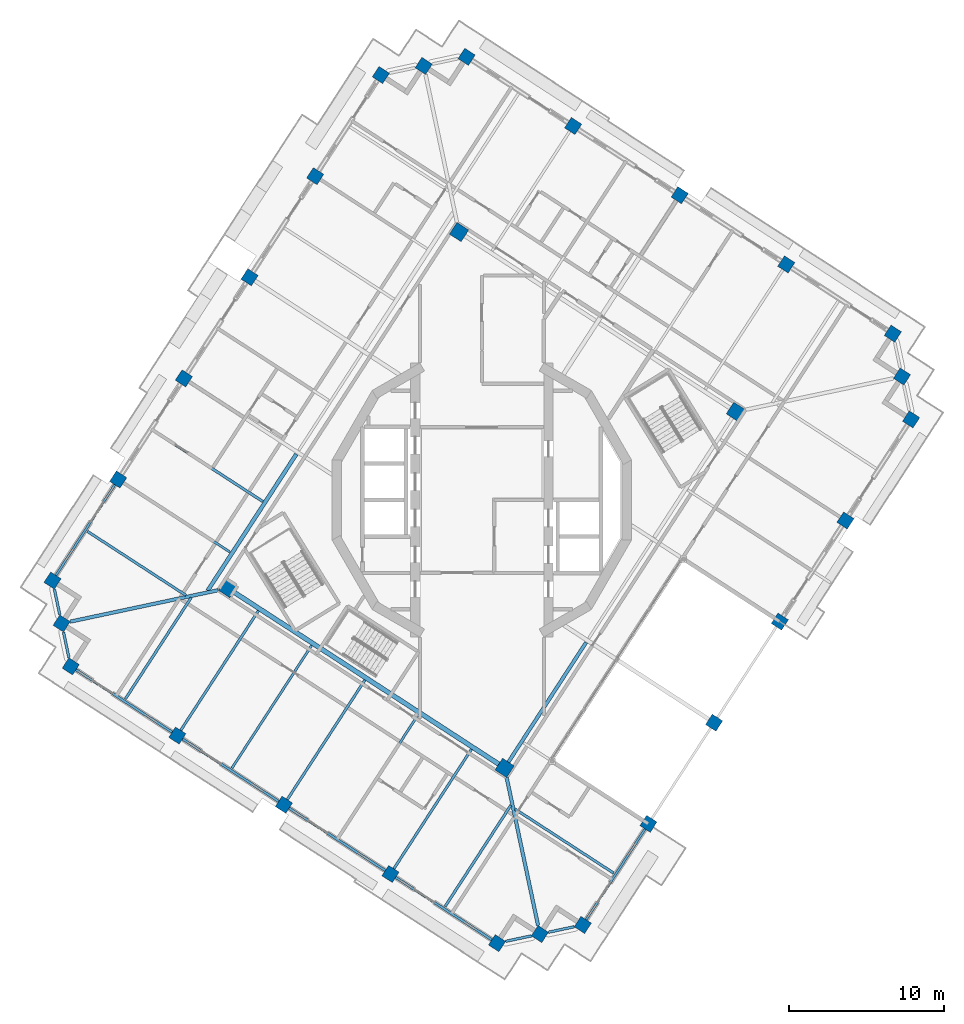
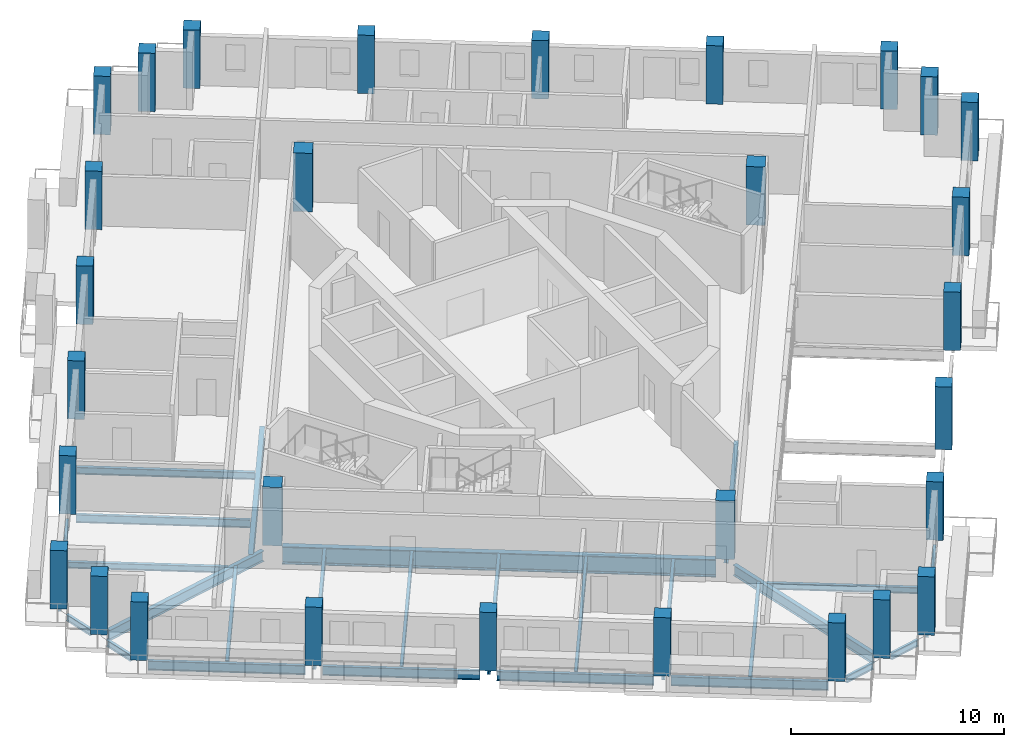
# One storey, part 1 of 17: 30 columns, 26 beams.
"""IFC4 building model written with IfcOpenShell, lengths in metres."""

from ifc_helpers import new_model, si_unit, direction, frame, origin, origin_2d, place, context, subcontext, project, spatial, rectangle, i_section, extrude, material, material_profile, profile_set, type_object, element, save


model = new_model("IFC4")

# Units and contexts
model_context = context("Model", 3, precision=1e-05, world=origin(), true_north=direction((0.0, 1.0)))
body_context = subcontext(model_context, "Body", "Model", "MODEL_VIEW")
ifc_project = project(units=[si_unit("LENGTHUNIT", "METRE"), si_unit("AREAUNIT", "SQUARE_METRE"), si_unit("VOLUMEUNIT", "CUBIC_METRE"), si_unit("PLANEANGLEUNIT", "RADIAN"), si_unit("MASSUNIT", "GRAM", prefix="KILO")], contexts=[model_context])

# Site, building, storey
site_placement = place(None, origin())
site = spatial("IfcSite", under=ifc_project, at=site_placement, CompositionType="ELEMENT")
building_placement = place(site_placement, origin())
building = spatial("IfcBuilding", under=site, at=building_placement, Name="Cantera Rosa Tower", CompositionType="ELEMENT")
storey_placement = place(building_placement, frame((0.0, 0.0, 257.699951171875)))
storey = spatial("IfcBuildingStorey", under=building, at=storey_placement, Name="L57", CompositionType="ELEMENT", Elevation=257.699951171875)

# Columns
ifc_material_1 = material(Name="Concrete C50/60", Category="concrete")
ifc_material_profile_1 = material_profile(ifc_material_1, rectangle(XDim=0.800048828125, YDim=0.800048828125, at=origin_2d()), Name="RC COLUMN RC800X800 C50/60")
ifc_profile_set_1 = profile_set([ifc_material_profile_1], Name="Concrete C50/60")
column_type_1 = type_object("IfcColumnType", Name="RC COLUMN RC800X800 C50/60", PredefinedType="COLUMN", material=ifc_profile_set_1)
for number, where, z_axis, x_axis, name in (
    (1, (26.52587890625, 10.73486328125, 0.0), (0.0, 0.0, 1.0), (0.544639035015, 0.838670567945, 0.0), "C-Z5-01 L57"),
    (2, (19.64892578125, 15.20068359375, 0.0), (0.0, 0.0, 1.0), (0.544639035015, 0.838670567945, 0.0), "C-Z5-02 L57"),
    (3, (12.771728515625, 19.666748046875, 0.0), (0.0, 0.0, 1.0), (0.544639035015, 0.838670567945, 0.0), "C-Z5-03 L57"),
    (4, (5.894775390625, 24.1328125, 0.0), (0.0, 0.0, 1.0), (0.544639035015, 0.838670567945, 0.0), "C-Z5-04 L57"),
    (5, (-0.982421875, 28.598876953125, 0.0), (0.0, 0.0, 1.0), (0.544639035015, 0.838670567945, 0.0), "C-Z5-05 L57"),
    (6, (-3.7490234375, 28.0107421875, 0.0), (0.0, 0.0, 1.0), (0.544639035015, 0.838670567945, 0.0), "C-Z5-06 L57"),
    (7, (-6.515625, 27.4228515625, 0.0), (0.0, 0.0, 1.0), (0.544639035015, 0.838670567945, 0.0), "C-Z5-07 L57"),
    (8, (-10.7529296875, 20.89794921875, 0.0), (0.0, 0.0, 1.0), (0.544639035015, 0.838670567945, 0.0), "C-Z5-08 L57"),
    (9, (-14.990234375, 14.373046875, 0.0), (0.0, 0.0, 1.0), (0.544639035015, 0.838670567945, 0.0), "C-Z5-09 L57"),
    (10, (-19.2275390625, 7.84814453125, 0.0), (0.0, 0.0, 1.0), (0.544639035015, 0.838670567945, 0.0), "C-Z5-10 L57"),
    (11, (-23.46484375, 1.3232421875, 0.0), (0.0, 0.0, 1.0), (0.544639035015, 0.838670567945, 0.0), "C-Z5-11 L57"),
    (12, (-27.7021484375, -5.201416015625, 0.0), (0.0, 0.0, 1.0), (0.544639035015, 0.838670567945, 0.0), "C-Z5-12 L57"),
    (13, (-27.114013671875, -7.968017578125, 0.0), (0.0, 0.0, 1.0), (0.544639035015, 0.838670567945, 0.0), "C-Z5-13 L57"),
    (14, (-26.52587890625, -10.73486328125, 0.0), (0.0, 0.0, 1.0), (0.544639035015, 0.838670567945, 0.0), "C-Z5-14 L57"),
    (15, (-19.64892578125, -15.20068359375, 0.0), (0.0, 0.0, 1.0), (0.544639035015, 0.838670567945, 0.0), "C-Z5-15 L57"),
    (16, (-12.771728515625, -19.666748046875, 0.0), (0.0, 0.0, 1.0), (0.544639035015, 0.838670567945, 0.0), "C-Z5-16 L57"),
    (17, (-5.894775390625, -24.1328125, 0.0), (0.0, 0.0, 1.0), (0.544639035015, 0.838670567945, 0.0), "C-Z5-17 L57"),
    (18, (0.982421875, -28.598876953125, 0.0), (0.0, 0.0, 1.0), (0.544639035015, 0.838670567945, 0.0), "C-Z5-18 L57"),
    (19, (3.7490234375, -28.0107421875, 0.0), (0.0, 0.0, 1.0), (0.544639035015, 0.838670567945, 0.0), "C-Z5-19 L57"),
    (20, (6.515625, -27.4228515625, 0.0), (0.0, 0.0, 1.0), (0.544639035015, 0.838670567945, 0.0), "C-Z5-20 L57"),
    (21, (10.7529296875, -20.89794921875, 0.0), (0.0, 0.0, 1.0), (0.544639035015, 0.838670567945, 0.0), "C-Z5-21 L57"),
):
    element("IfcColumn", number, at=place(storey_placement, frame(where, z_axis=z_axis, x_axis=x_axis)), inside=storey, type_object=column_type_1, Name=name, PredefinedType="COLUMN", context=body_context, shape_type="SweptSolid", body=[
        extrude(rectangle(XDim=0.800048828125, YDim=0.800048828125, at=origin_2d()), origin(), (0.0, 0.0, 1.0), 3.35009765625),
    ])
column_placement = place(storey_placement, frame((14.990234375, -14.373046875, -0.25), z_axis=(0.0, 0.0, 1.0), x_axis=(0.544639035015, 0.838670567945, 0.0)))
element("IfcColumn", 22, at=column_placement, inside=storey, type_object=column_type_1, Name="C-Z5-22 L57", PredefinedType="COLUMN", context=body_context, shape_type="SweptSolid", body=[
    extrude(rectangle(XDim=0.800048828125, YDim=0.800048828125, at=origin_2d()), origin(), (0.0, 0.0, 1.0), 3.60009765625),
])
for number, where, z_axis, x_axis, name in (
    (23, (19.2275390625, -7.84814453125, 0.0), (0.0, 0.0, 1.0), (0.544639035015, 0.838670567945, 0.0), "C-Z5-23 L57"),
    (24, (23.46484375, -1.3232421875, 0.0), (0.0, 0.0, 1.0), (0.544639035015, 0.838670567945, 0.0), "C-Z5-24 L57"),
    (25, (27.7021484375, 5.201416015625, 0.0), (0.0, 0.0, 1.0), (0.544639035015, 0.838670567945, 0.0), "C-Z5-25 L57"),
    (26, (27.114013671875, 7.968017578125, 0.0), (0.0, 0.0, 1.0), (0.544639035015, 0.838670567945, 0.0), "C-Z5-26 L57"),
):
    element("IfcColumn", number, at=place(storey_placement, frame(where, z_axis=z_axis, x_axis=x_axis)), inside=storey, type_object=column_type_1, Name=name, PredefinedType="COLUMN", context=body_context, shape_type="SweptSolid", body=[
        extrude(rectangle(XDim=0.800048828125, YDim=0.800048828125, at=origin_2d()), origin(), (0.0, 0.0, 1.0), 3.35009765625),
    ])
ifc_material_2 = material(Name="Concrete C50/60", Category="concrete")
ifc_material_profile_2 = material_profile(ifc_material_2, rectangle(XDim=0.89990234375, YDim=0.89990234375, at=origin_2d()), Name="RC RING COLUMN RC900X900 C50/60")
ifc_profile_set_2 = profile_set([ifc_material_profile_2], Name="Concrete C50/60")
column_type_2 = type_object("IfcColumnType", Name="RC RING COLUMN RC900X900 C50/60", PredefinedType="COLUMN", material=ifc_profile_set_2)
for number, where, z_axis, x_axis, name in (
    (27, (-1.47021484375, 17.290283203125, 0.0), (0.0, 0.0, 1.0), (0.544639035015, 0.838670567945, 0.0), "CI-Z5-1 L57"),
    (28, (-16.393310546875, -5.689453125, 0.0), (0.0, 0.0, 1.0), (0.544639035015, 0.838670567945, 0.0), "CI-Z5-2 L57"),
    (29, (1.47021484375, -17.290283203125, 0.0), (0.0, 0.0, 1.0), (0.544639035015, 0.838670567945, 0.0), "CI-Z5-3 L57"),
    (30, (16.393310546875, 5.689453125, 0.0), (0.0, 0.0, 1.0), (0.544639035015, 0.838670567945, 0.0), "CI-Z5-4 L57"),
):
    element("IfcColumn", number, at=place(storey_placement, frame(where, z_axis=z_axis, x_axis=x_axis)), inside=storey, type_object=column_type_2, Name=name, PredefinedType="COLUMN", context=body_context, shape_type="SweptSolid", body=[
        extrude(rectangle(XDim=0.89990234375, YDim=0.89990234375, at=origin_2d()), origin(), (0.0, 0.0, 1.0), 3.35009765625),
    ])

# Beams
ifc_material_3 = material(Name="Steel ASTM A992 (Fy 345 MPa)", Category="steel")
ifc_material_profile_3 = material_profile(ifc_material_3, i_section(OverallWidth=0.302001953125, OverallDepth=1.010009765625, WebThickness=0.02099609375, FlangeThickness=0.0400390625, FilletRadius=0.030029296875, at=origin_2d()), Name="W1000X350")
ifc_profile_set_3 = profile_set([ifc_material_profile_3], Name="Steel ASTM A992 (Fy 345 MPa)")
beam_type_1 = type_object("IfcBeamType", Name="STEEL BEAM W1000X350", PredefinedType="BEAM", material=ifc_profile_set_3)
beam_1_placement = place(storey_placement, frame((1.0927734375, -17.045166015625, -0.7548828125), z_axis=(-0.838671580977, 0.54463747508, 0.0), x_axis=(-0.54463747508, -0.838671580977, 0.0)))
element("IfcBeam", 31, at=beam_1_placement, inside=storey, type_object=beam_type_1, Name="RB-Z5-09 L57", PredefinedType="BEAM", context=body_context, shape_type="SweptSolid", body=[
    extrude(i_section(OverallWidth=0.302001953125, OverallDepth=1.010009765625, WebThickness=0.02099609375, FlangeThickness=0.0400390625, FilletRadius=0.030029296875, at=origin_2d()), origin(), (0.0, 0.0, 1.0), 20.39990234375),
])
ifc_material_4 = material(Name="Steel ASTM A992 (Fy 345 MPa)", Category="steel")
ifc_material_profile_4 = material_profile(ifc_material_4, i_section(OverallWidth=0.154052734375, OverallDepth=0.4599609375, WebThickness=0.009033203125, FlangeThickness=0.015380859375, FilletRadius=0.01025390625, at=origin_2d()), Name="W460X68")
ifc_profile_set_4 = profile_set([ifc_material_profile_4], Name="Steel ASTM A992 (Fy 345 MPa)")
beam_type_2 = type_object("IfcBeamType", Name="STEEL BEAM W460X68", PredefinedType="BEAM", material=ifc_profile_set_4)
beam_2_placement = place(storey_placement, frame((-23.12939453125, 1.10546875, -0.47998046875), z_axis=(0.838672777751, -0.544635632198, 0.0), x_axis=(0.544635632198, 0.838672777751, 0.0)))
element("IfcBeam", 32, at=beam_2_placement, inside=storey, type_object=beam_type_2, Name="G-Z5-07 L57", PredefinedType="BEAM", context=body_context, shape_type="SweptSolid", body=[
    extrude(i_section(OverallWidth=0.154052734375, OverallDepth=0.4599609375, WebThickness=0.009033203125, FlangeThickness=0.015380859375, FilletRadius=0.01025390625, at=origin_2d()), origin(), (0.0, 0.0, 1.0), 8.2001953125),
])
ifc_material_5 = material(Name="Steel ASTM A992 (Fy 345 MPa)", Category="steel")
ifc_material_profile_5 = material_profile(ifc_material_5, i_section(OverallWidth=0.166015625, OverallDepth=0.528076171875, WebThickness=0.009765625, FlangeThickness=0.013671875, FilletRadius=0.0126953125, at=origin_2d()), Name="W530X74")
ifc_profile_set_5 = profile_set([ifc_material_profile_5], Name="Steel ASTM A992 (Fy 345 MPa)")
beam_type_3 = type_object("IfcBeamType", Name="STEEL BEAM W530X74", PredefinedType="BEAM", material=ifc_profile_set_5)
beam_3_placement = place(storey_placement, frame((-19.430908203125, -14.865234375, -0.513916015625), z_axis=(0.544634776066, 0.838673333724, 0.0), x_axis=(-0.838673333724, 0.544634776066, 0.0)))
element("IfcBeam", 33, at=beam_3_placement, inside=storey, type_object=beam_type_3, Name="G-Z5-12 L57", PredefinedType="BEAM", context=body_context, shape_type="SweptSolid", body=[
    extrude(i_section(OverallWidth=0.166015625, OverallDepth=0.528076171875, WebThickness=0.009765625, FlangeThickness=0.013671875, FilletRadius=0.0126953125, at=origin_2d()), origin(), (0.0, 0.0, 1.0), 9.19970703125),
])
beam_4_placement = place(storey_placement, frame((-12.553955078125, -19.331298828125, -0.513916015625), z_axis=(0.544641320086, 0.838669083999, 0.0), x_axis=(-0.838669083999, 0.544641320086, 0.0)))
element("IfcBeam", 34, at=beam_4_placement, inside=storey, type_object=beam_type_3, Name="G-Z5-13 L57", PredefinedType="BEAM", context=body_context, shape_type="SweptSolid", body=[
    extrude(i_section(OverallWidth=0.166015625, OverallDepth=0.528076171875, WebThickness=0.009765625, FlangeThickness=0.013671875, FilletRadius=0.0126953125, at=origin_2d()), origin(), (0.0, 0.0, 1.0), 9.2001953125),
])
beam_5_placement = place(storey_placement, frame((-5.6767578125, -23.79736328125, -0.513916015625), z_axis=(0.544622654601, 0.838681205283, 0.0), x_axis=(-0.838681205283, 0.544622654601, 0.0)))
element("IfcBeam", 35, at=beam_5_placement, inside=storey, type_object=beam_type_3, Name="G-Z5-14 L57", PredefinedType="BEAM", context=body_context, shape_type="SweptSolid", body=[
    extrude(i_section(OverallWidth=0.166015625, OverallDepth=0.528076171875, WebThickness=0.009765625, FlangeThickness=0.013671875, FilletRadius=0.0126953125, at=origin_2d()), origin(), (0.0, 0.0, 1.0), 9.199951171875),
])
ifc_material_6 = material(Name="Steel ASTM A992 (Fy 345 MPa)", Category="steel")
ifc_material_profile_6 = material_profile(ifc_material_6, i_section(OverallWidth=0.22802734375, OverallDepth=0.60205078125, WebThickness=0.010498046875, FlangeThickness=0.014892578125, FilletRadius=0.0126953125, at=origin_2d()), Name="W610X101")
ifc_profile_set_6 = profile_set([ifc_material_profile_6], Name="Steel ASTM A992 (Fy 345 MPa)")
beam_type_4 = type_object("IfcBeamType", Name="STEEL BEAM W610X101", PredefinedType="BEAM", material=ifc_profile_set_6)
for number, where, z_axis, x_axis, name in (
    (36, (-26.560791015625, -7.8505859375, -0.551025390625), (0.978148167214, 0.20790902572, 0.0), (-0.20790902572, 0.978148167214, 0.0), "CB-Z5-02 L57"),
    (37, (3.63134765625, -27.45751953125, -0.551025390625), (-0.20790902572, 0.978148167214, 0.0), (-0.978148167214, -0.20790902572, 0.0), "CB-Z5-03 L57"),
):
    element("IfcBeam", number, at=place(storey_placement, frame(where, z_axis=z_axis, x_axis=x_axis)), inside=storey, type_object=beam_type_4, Name=name, PredefinedType="BEAM", context=body_context, shape_type="SweptSolid", body=[
        extrude(i_section(OverallWidth=0.22802734375, OverallDepth=0.60205078125, WebThickness=0.010498046875, FlangeThickness=0.014892578125, FilletRadius=0.0126953125, at=origin_2d()), origin(), (0.0, 0.0, 1.0), 9.758056640625),
    ])
beam_6_placement = place(storey_placement, frame((1.71533203125, -16.912841796875, -0.551025390625), z_axis=(0.54463982867, 0.838670052539, 0.0), x_axis=(-0.838670052539, 0.54463982867, 0.0)))
element("IfcBeam", 38, at=beam_6_placement, inside=storey, type_object=beam_type_4, Name="RB-Z5-04 L57", PredefinedType="BEAM", context=body_context, shape_type="SweptSolid", body=[
    extrude(i_section(OverallWidth=0.22802734375, OverallDepth=0.60205078125, WebThickness=0.010498046875, FlangeThickness=0.014892578125, FilletRadius=0.0126953125, at=origin_2d()), origin(), (0.0, 0.0, 1.0), 9.2099609375),
])
ifc_material_7 = material(Name="Steel ASTM A992 (Fy 345 MPa)", Category="steel")
ifc_material_profile_7 = material_profile(ifc_material_7, i_section(OverallWidth=0.25390625, OverallDepth=0.677978515625, WebThickness=0.01171875, FlangeThickness=0.016357421875, FilletRadius=0.01513671875, at=origin_2d()), Name="W690X125")
ifc_profile_set_7 = profile_set([ifc_material_profile_7], Name="Steel ASTM A992 (Fy 345 MPa)")
beam_type_5 = type_object("IfcBeamType", Name="STEEL BEAM W690X125", PredefinedType="BEAM", material=ifc_profile_set_7)
beam_7_placement = place(storey_placement, frame((-17.695068359375, -5.857666015625, -0.5888671875), z_axis=(0.544635575355, 0.838672814665, 0.0), x_axis=(-0.838672814665, 0.544635575355, 0.0)))
element("IfcBeam", 39, at=beam_7_placement, inside=storey, type_object=beam_type_5, Name="RB-Z5-01 L57", PredefinedType="BEAM", context=body_context, shape_type="SweptSolid", body=[
    extrude(i_section(OverallWidth=0.25390625, OverallDepth=0.677978515625, WebThickness=0.01171875, FlangeThickness=0.016357421875, FilletRadius=0.01513671875, at=origin_2d()), origin(), (0.0, 0.0, 1.0), 10.510009765625),
])
ifc_material_8 = material(Name="Steel ASTM A992 (Fy 345 MPa)", Category="steel")
ifc_material_profile_8 = material_profile(ifc_material_8, i_section(OverallWidth=0.1708984375, OverallDepth=0.35595703125, WebThickness=0.00732421875, FlangeThickness=0.01171875, FilletRadius=0.010009765625, at=origin_2d()), Name="W360X51")
ifc_profile_set_8 = profile_set([ifc_material_profile_8], Name="Steel ASTM A992 (Fy 345 MPa)")
beam_type_6 = type_object("IfcBeamType", Name="STEEL JOIST W360X51", PredefinedType="JOIST", material=ifc_profile_set_8)
beam_8_placement = place(storey_placement, frame((-25.457763671875, -2.020751953125, -0.427978515625), z_axis=(0.838680170462, -0.54462424815, 0.0), x_axis=(0.54462424815, 0.838680170462, 0.0)))
element("IfcBeam", 40, at=beam_8_placement, inside=storey, type_object=beam_type_6, Name="B-Z5-09 L57", PredefinedType="JOIST", context=body_context, shape_type="SweptSolid", body=[
    extrude(i_section(OverallWidth=0.1708984375, OverallDepth=0.35595703125, WebThickness=0.00732421875, FlangeThickness=0.01171875, FilletRadius=0.010009765625, at=origin_2d()), origin(), (0.0, 0.0, 1.0), 7.590087890625),
])
beam_9_placement = place(storey_placement, frame((8.508544921875, -24.07861328125, -0.427978515625), z_axis=(-0.838670629323, 0.544638940502, 0.0), x_axis=(-0.544638940502, -0.838670629323, 0.0)))
element("IfcBeam", 41, at=beam_9_placement, inside=storey, type_object=beam_type_6, Name="B-Z5-10 L57", PredefinedType="JOIST", context=body_context, shape_type="SweptSolid", body=[
    extrude(i_section(OverallWidth=0.1708984375, OverallDepth=0.35595703125, WebThickness=0.00732421875, FlangeThickness=0.01171875, FilletRadius=0.010009765625, at=origin_2d()), origin(), (0.0, 0.0, 1.0), 7.58984375),
])
for number, where, z_axis, x_axis, name in (
    (42, (-23.005859375, -12.842041015625, -0.427978515625), (0.544641754757, 0.838668801718, 0.0), (-0.838668801718, 0.544641754757, 0.0), "B-Z5-15 L57"),
    (43, (-2.37451171875, -26.239990234375, -0.427978515625), (0.54465605183, 0.838659516851, 0.0), (-0.838659516851, 0.54465605183, 0.0), "B-Z5-18 L57"),
):
    element("IfcBeam", number, at=place(storey_placement, frame(where, z_axis=z_axis, x_axis=x_axis)), inside=storey, type_object=beam_type_6, Name=name, PredefinedType="JOIST", context=body_context, shape_type="SweptSolid", body=[
        extrude(i_section(OverallWidth=0.1708984375, OverallDepth=0.35595703125, WebThickness=0.00732421875, FlangeThickness=0.01171875, FilletRadius=0.010009765625, at=origin_2d()), origin(), (0.0, 0.0, 1.0), 7.800048828125),
    ])
ifc_material_9 = material(Name="Steel ASTM A992 (Fy 345 MPa)", Category="steel")
ifc_material_profile_9 = material_profile(ifc_material_9, i_section(OverallWidth=0.177978515625, OverallDepth=0.406005859375, WebThickness=0.0078125, FlangeThickness=0.0126953125, FilletRadius=0.01025390625, at=origin_2d()), Name="W410X60")
ifc_profile_set_9 = profile_set([ifc_material_profile_9], Name="Steel ASTM A992 (Fy 345 MPa)")
beam_type_7 = type_object("IfcBeamType", Name="STEEL JOIST W410X60", PredefinedType="JOIST", material=ifc_profile_set_9)
beam_10_placement = place(storey_placement, frame((-21.220458984375, 4.504150390625, -0.452880859375), z_axis=(0.838670615657, -0.544638961546, 0.0), x_axis=(0.544638961546, 0.838670615657, 0.0)))
element("IfcBeam", 44, at=beam_10_placement, inside=storey, type_object=beam_type_7, Name="B-Z5-08 L57", PredefinedType="JOIST", context=body_context, shape_type="SweptSolid", body=[
    extrude(i_section(OverallWidth=0.177978515625, OverallDepth=0.406005859375, WebThickness=0.0078125, FlangeThickness=0.0126953125, FilletRadius=0.01025390625, at=origin_2d()), origin(), (0.0, 0.0, 1.0), 8.4501953125),
])
ifc_material_10 = material(Name="Steel ASTM A992 (Fy 345 MPa)", Category="steel")
ifc_material_profile_10 = material_profile(ifc_material_10, i_section(OverallWidth=0.154052734375, OverallDepth=0.4599609375, WebThickness=0.009033203125, FlangeThickness=0.015380859375, FilletRadius=0.01025390625, at=origin_2d()), Name="W460X68")
ifc_profile_set_10 = profile_set([ifc_material_profile_10], Name="Steel ASTM A992 (Fy 345 MPa)")
beam_type_8 = type_object("IfcBeamType", Name="STEEL JOIST W460X68", PredefinedType="JOIST", material=ifc_profile_set_10)
beam_11_placement = place(storey_placement, frame((-16.128662109375, -17.30810546875, -0.47998046875), z_axis=(0.544644146603, 0.838667248419, 0.0), x_axis=(-0.838667248419, 0.544644146603, 0.0)))
element("IfcBeam", 45, at=beam_11_placement, inside=storey, type_object=beam_type_8, Name="B-Z5-16 L57", PredefinedType="JOIST", context=body_context, shape_type="SweptSolid", body=[
    extrude(i_section(OverallWidth=0.154052734375, OverallDepth=0.4599609375, WebThickness=0.009033203125, FlangeThickness=0.015380859375, FilletRadius=0.01025390625, at=origin_2d()), origin(), (0.0, 0.0, 1.0), 9.4501953125),
])
beam_12_placement = place(storey_placement, frame((-9.25146484375, -21.77392578125, -0.47998046875), z_axis=(0.544637775879, 0.838671385636, 0.0), x_axis=(-0.838671385636, 0.544637775879, 0.0)))
element("IfcBeam", 46, at=beam_12_placement, inside=storey, type_object=beam_type_8, Name="B-Z5-17 L57", PredefinedType="JOIST", context=body_context, shape_type="SweptSolid", body=[
    extrude(i_section(OverallWidth=0.154052734375, OverallDepth=0.4599609375, WebThickness=0.009033203125, FlangeThickness=0.015380859375, FilletRadius=0.01025390625, at=origin_2d()), origin(), (0.0, 0.0, 1.0), 9.44970703125),
])
ifc_material_11 = material(Name="Steel ASTM A992 (Fy 345 MPa)", Category="steel")
ifc_material_profile_11 = material_profile(ifc_material_11, i_section(OverallWidth=0.1708984375, OverallDepth=0.35595703125, WebThickness=0.00732421875, FlangeThickness=0.01171875, FilletRadius=0.010009765625, at=origin_2d()), Name="W360X51")
ifc_profile_set_11 = profile_set([ifc_material_profile_11], Name="Steel ASTM A992 (Fy 345 MPa)")
beam_type_9 = type_object("IfcBeamType", Name="STEEL SPANDREL BEAM W360X51", PredefinedType="SPANDREL", material=ifc_profile_set_11)
for number, where, z_axis, x_axis, name in (
    (47, (-27.58447265625, -5.7548828125, -0.427978515625), (0.207888006632, -0.978152634663, 0.0), (0.978152634663, 0.207888006632, 0.0), "EB-Z5-12 L57"),
    (48, (-26.996337890625, -8.521484375, -0.427978515625), (0.207888006632, -0.978152634663, 0.0), (0.978152634663, 0.207888006632, 0.0), "EB-Z5-13 L57"),
):
    element("IfcBeam", number, at=place(storey_placement, frame(where, z_axis=z_axis, x_axis=x_axis)), inside=storey, type_object=beam_type_9, Name=name, PredefinedType="SPANDREL", context=body_context, shape_type="SweptSolid", body=[
        extrude(i_section(OverallWidth=0.1708984375, OverallDepth=0.35595703125, WebThickness=0.00732421875, FlangeThickness=0.01171875, FilletRadius=0.010009765625, at=origin_2d()), origin(), (0.0, 0.0, 1.0), 1.697021484375),
    ])
for number, where, z_axis, x_axis, name in (
    (49, (1.53564453125, -28.481201171875, -0.427978515625), (0.978158850918, 0.20785875582, 0.0), (-0.20785875582, 0.978158850918, 0.0), "EB-Z5-18 L57"),
    (50, (4.30224609375, -27.893310546875, -0.427978515625), (0.978129595322, 0.207996381593, 0.0), (-0.207996381593, 0.978129595322, 0.0), "EB-Z5-19 L57"),
):
    element("IfcBeam", number, at=place(storey_placement, frame(where, z_axis=z_axis, x_axis=x_axis)), inside=storey, type_object=beam_type_9, Name=name, PredefinedType="SPANDREL", context=body_context, shape_type="SweptSolid", body=[
        extrude(i_section(OverallWidth=0.1708984375, OverallDepth=0.35595703125, WebThickness=0.00732421875, FlangeThickness=0.01171875, FilletRadius=0.010009765625, at=origin_2d()), origin(), (0.0, 0.0, 1.0), 1.697265625),
    ])
ifc_material_12 = material(Name="Steel ASTM A992 (Fy 345 MPa)", Category="steel")
ifc_material_profile_12 = material_profile(ifc_material_12, i_section(OverallWidth=0.154052734375, OverallDepth=0.4599609375, WebThickness=0.009033203125, FlangeThickness=0.015380859375, FilletRadius=0.01025390625, at=origin_2d()), Name="W460X68")
ifc_profile_set_12 = profile_set([ifc_material_profile_12], Name="Steel ASTM A992 (Fy 345 MPa)")
beam_type_10 = type_object("IfcBeamType", Name="STEEL SPANDREL BEAM W460X68", PredefinedType="SPANDREL", material=ifc_profile_set_12)
beam_13_placement = place(storey_placement, frame((-23.6826171875, 0.98779296875, -0.47998046875), z_axis=(-0.544667428764, -0.838652128146, 0.0), x_axis=(0.838652128146, -0.544667428764, 0.0)))
element("IfcBeam", 51, at=beam_13_placement, inside=storey, type_object=beam_type_10, Name="EB-Z5-11 L57", PredefinedType="SPANDREL", context=body_context, shape_type="SweptSolid", body=[
    extrude(i_section(OverallWidth=0.154052734375, OverallDepth=0.4599609375, WebThickness=0.009033203125, FlangeThickness=0.015380859375, FilletRadius=0.01025390625, at=origin_2d()), origin(), (0.0, 0.0, 1.0), 6.97998046875),
])
beam_14_placement = place(storey_placement, frame((6.7333984375, -27.08740234375, -0.47998046875), z_axis=(0.544651451949, 0.838662504164, 0.0), x_axis=(-0.838662504164, 0.544651451949, 0.0)))
element("IfcBeam", 52, at=beam_14_placement, inside=storey, type_object=beam_type_10, Name="EB-Z5-20 L57", PredefinedType="SPANDREL", context=body_context, shape_type="SweptSolid", body=[
    extrude(i_section(OverallWidth=0.154052734375, OverallDepth=0.4599609375, WebThickness=0.009033203125, FlangeThickness=0.015380859375, FilletRadius=0.01025390625, at=origin_2d()), origin(), (0.0, 0.0, 1.0), 6.980224609375),
])
ifc_material_13 = material(Name="Steel ASTM A992 (Fy 345 MPa)", Category="steel")
ifc_material_profile_13 = material_profile(ifc_material_13, i_section(OverallWidth=0.166015625, OverallDepth=0.528076171875, WebThickness=0.009765625, FlangeThickness=0.013671875, FilletRadius=0.0126953125, at=origin_2d()), Name="W530X74")
ifc_profile_set_13 = profile_set([ifc_material_profile_13], Name="Steel ASTM A992 (Fy 345 MPa)")
beam_type_11 = type_object("IfcBeamType", Name="STEEL SPANDREL BEAM W530X74", PredefinedType="SPANDREL", material=ifc_profile_set_13)
beam_15_placement = place(storey_placement, frame((-26.1904296875, -10.95263671875, -0.513916015625), z_axis=(0.838669679097, -0.544640403719, 0.0), x_axis=(0.544640403719, 0.838669679097, 0.0)))
element("IfcBeam", 53, at=beam_15_placement, inside=storey, type_object=beam_type_11, Name="EB-Z5-14 L57", PredefinedType="SPANDREL", context=body_context, shape_type="SweptSolid", body=[
    extrude(i_section(OverallWidth=0.166015625, OverallDepth=0.528076171875, WebThickness=0.009765625, FlangeThickness=0.013671875, FilletRadius=0.0126953125, at=origin_2d()), origin(), (0.0, 0.0, 1.0), 7.39990234375),
])
beam_16_placement = place(storey_placement, frame((-19.3134765625, -15.418701171875, -0.513916015625), z_axis=(0.838679465365, -0.544625333946, 0.0), x_axis=(0.544625333946, 0.838679465365, 0.0)))
element("IfcBeam", 54, at=beam_16_placement, inside=storey, type_object=beam_type_11, Name="EB-Z5-15 L57", PredefinedType="SPANDREL", context=body_context, shape_type="SweptSolid", body=[
    extrude(i_section(OverallWidth=0.166015625, OverallDepth=0.528076171875, WebThickness=0.009765625, FlangeThickness=0.013671875, FilletRadius=0.0126953125, at=origin_2d()), origin(), (0.0, 0.0, 1.0), 7.400146484375),
])
beam_17_placement = place(storey_placement, frame((-12.436279296875, -19.884765625, -0.513916015625), z_axis=(0.838669679097, -0.544640403719, 0.0), x_axis=(0.544640403719, 0.838669679097, 0.0)))
element("IfcBeam", 55, at=beam_17_placement, inside=storey, type_object=beam_type_11, Name="EB-Z5-16 L57", PredefinedType="SPANDREL", context=body_context, shape_type="SweptSolid", body=[
    extrude(i_section(OverallWidth=0.166015625, OverallDepth=0.528076171875, WebThickness=0.009765625, FlangeThickness=0.013671875, FilletRadius=0.0126953125, at=origin_2d()), origin(), (0.0, 0.0, 1.0), 7.39990234375),
])
beam_18_placement = place(storey_placement, frame((-5.559326171875, -24.350830078125, -0.513916015625), z_axis=(0.838679465365, -0.544625333946, 0.0), x_axis=(0.544625333946, 0.838679465365, 0.0)))
element("IfcBeam", 56, at=beam_18_placement, inside=storey, type_object=beam_type_11, Name="EB-Z5-17 L57", PredefinedType="SPANDREL", context=body_context, shape_type="SweptSolid", body=[
    extrude(i_section(OverallWidth=0.166015625, OverallDepth=0.528076171875, WebThickness=0.009765625, FlangeThickness=0.013671875, FilletRadius=0.0126953125, at=origin_2d()), origin(), (0.0, 0.0, 1.0), 7.400146484375),
])

save(model, "model.ifc")
